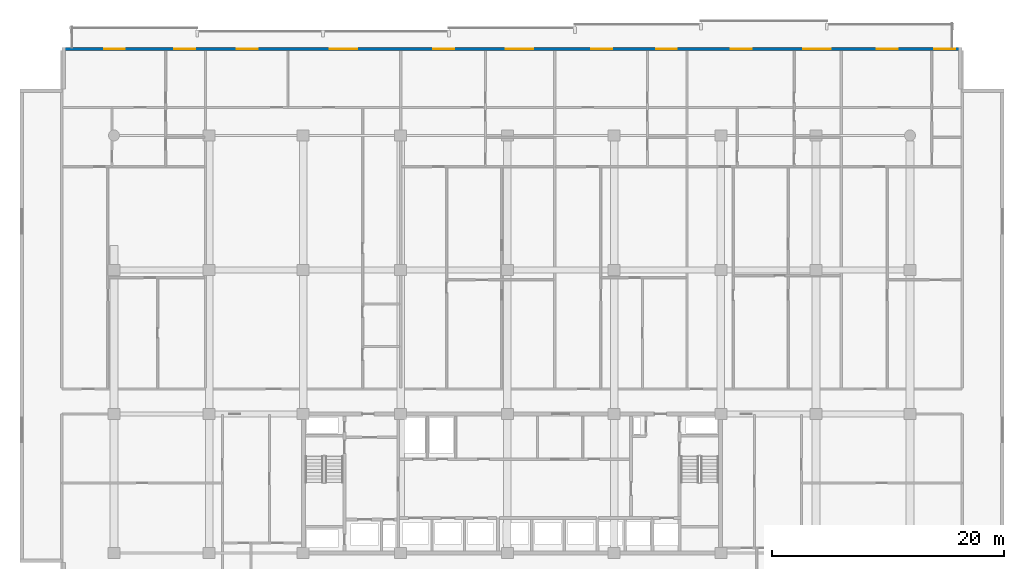
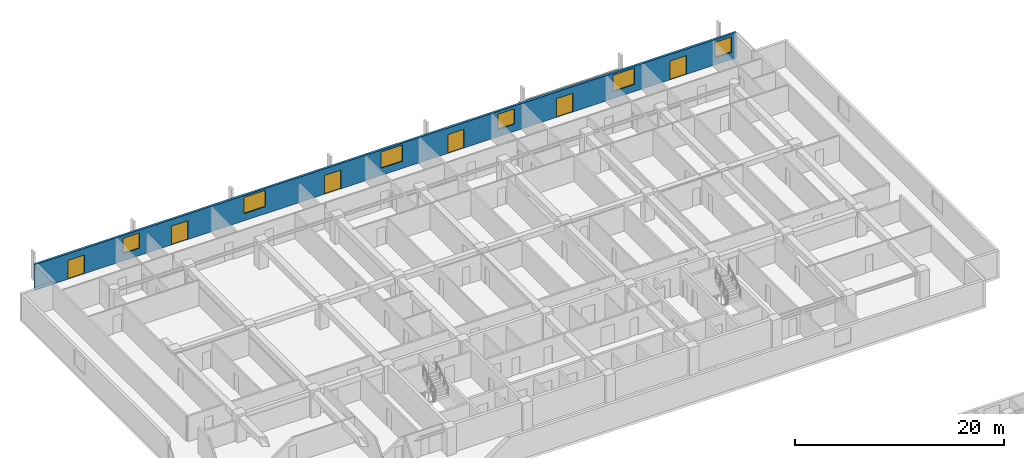
# One storey, part 16 of 23: 6 doors, 6 windows, 1 wall, 12 openings.
"""IFC4 building model written with IfcOpenShell, lengths in metres."""

from ifc_helpers import new_model, si_unit, direction, frame, frame_2d, origin, place, context, subcontext, project, spatial, rectangle, extrude, material, layer, layer_set, type_object, element, fill, save


model = new_model("IFC4")

# Units and contexts
model_context = context("Model", 3, precision=1e-05, world=origin(), true_north=direction((0.0, 1.0)))
body_context = subcontext(model_context, "Body", "Model", "MODEL_VIEW")
ifc_project = project(units=[si_unit("LENGTHUNIT", "METRE"), si_unit("AREAUNIT", "SQUARE_METRE"), si_unit("VOLUMEUNIT", "CUBIC_METRE"), si_unit("PLANEANGLEUNIT", "RADIAN"), si_unit("MASSUNIT", "GRAM", prefix="KILO")], contexts=[model_context])

# Site, building, storey
site_placement = place(None, origin())
site = spatial("IfcSite", under=ifc_project, at=site_placement, CompositionType="ELEMENT")
building_placement = place(site_placement, origin())
building = spatial("IfcBuilding", under=site, at=building_placement, Name="Korimba Cascade Residences", CompositionType="ELEMENT")
storey_placement = place(building_placement, frame((0.0, 0.0, 37.0)))
storey = spatial("IfcBuildingStorey", under=building, at=storey_placement, Name="L09", CompositionType="ELEMENT", Elevation=37.0)

# Wall, openings, doors, windows
ifc_material_1 = material(Name="Precast concrete C40/50", Category="concrete")
ifc_layer = layer(ifc_material_1, 0.25)
ifc_layer_set = layer_set([ifc_layer], Name="Precast concrete C40/50")
wall_type = type_object("IfcWallType", Name="EW-LOG-250", PredefinedType="STANDARD", material=ifc_layer_set)
wall_placement = place(storey_placement, frame((132.89990234375, 98.64990234375, 0.0), z_axis=(0.0, 0.0, 1.0), x_axis=(-1.0, 0.0, 0.0)))
wall = element("IfcWall", 1, at=wall_placement, inside=storey, type_object=wall_type, Name="L09 T1 Perimeter Stone Wall E06", PredefinedType="STANDARD", context=body_context, shape_type="SweptSolid", body=[
    extrude(rectangle(XDim=77.599853515625, YDim=0.25, at=frame_2d((38.7998046875, 0.0))), origin(), (0.0, 0.0, 1.0), 2.969970703125),
])
opening_1_placement = place(wall_placement, frame((72.159912109375, 0.0, 0.0)))
opening_1 = element("IfcOpeningElement", 2, at=opening_1_placement, cuts=wall, Name="Opening D-LG1", PredefinedType="OPENING", context=body_context, shape_type="SweptSolid", body=[
    extrude(rectangle(XDim=1.800048828125, YDim=2.199951171875, at=frame_2d((0.89990234375, 1.10009765625))), frame((0.0, 0.135009765625, 0.0), z_axis=(0.0, -1.0, 0.0), x_axis=(1.0, 0.0, 0.0)), (0.0, 0.0, 1.0), 0.27001953125),
])
opening_2_placement = place(wall_placement, frame((66.08984375, 0.0, 0.85009765625)))
opening_2 = element("IfcOpeningElement", 3, at=opening_2_placement, cuts=wall, Name="Opening W-02", PredefinedType="OPENING", context=body_context, shape_type="SweptSolid", body=[
    extrude(rectangle(XDim=1.800048828125, YDim=1.800048828125, at=frame_2d((0.89990234375, 0.89990234375))), frame((0.0, 0.135009765625, 0.0), z_axis=(0.0, -1.0, 0.0), x_axis=(1.0, 0.0, 0.0)), (0.0, 0.0, 1.0), 0.27001953125),
])
opening_3_placement = place(wall_placement, frame((60.70751953125, 0.0, 0.0)))
opening_3 = element("IfcOpeningElement", 4, at=opening_3_placement, cuts=wall, Name="Opening D-LG1", PredefinedType="OPENING", context=body_context, shape_type="SweptSolid", body=[
    extrude(rectangle(XDim=1.800048828125, YDim=2.199951171875, at=frame_2d((0.89990234375, 1.10009765625))), frame((0.0, 0.135009765625, 0.0), z_axis=(0.0, -1.0, 0.0), x_axis=(1.0, 0.0, 0.0)), (0.0, 0.0, 1.0), 0.27001953125),
])
opening_4_placement = place(wall_placement, frame((52.117919921875, 0.0, 0.85009765625)))
opening_4 = element("IfcOpeningElement", 5, at=opening_4_placement, cuts=wall, Name="Opening W-01", PredefinedType="OPENING", context=body_context, shape_type="SweptSolid", body=[
    extrude(rectangle(XDim=2.39990234375, YDim=1.89990234375, at=frame_2d((1.199951171875, 0.949951171875))), frame((0.0, 0.135009765625, 0.0), z_axis=(0.0, -1.0, 0.0), x_axis=(1.0, 0.0, 0.0)), (0.0, 0.0, 1.0), 0.27001953125),
])
opening_5_placement = place(wall_placement, frame((43.7802734375, 0.0, 0.0)))
opening_5 = element("IfcOpeningElement", 6, at=opening_5_placement, cuts=wall, Name="Opening D-LG1", PredefinedType="OPENING", context=body_context, shape_type="SweptSolid", body=[
    extrude(rectangle(XDim=1.800048828125, YDim=2.199951171875, at=frame_2d((0.89990234375, 1.10009765625))), frame((0.0, 0.135009765625, 0.0), z_axis=(0.0, -1.0, 0.0), x_axis=(1.0, 0.0, 0.0)), (0.0, 0.0, 1.0), 0.27001953125),
])
opening_6_placement = place(wall_placement, frame((36.958984375, 0.0, 0.85009765625)))
opening_6 = element("IfcOpeningElement", 7, at=opening_6_placement, cuts=wall, Name="Opening W-01", PredefinedType="OPENING", context=body_context, shape_type="SweptSolid", body=[
    extrude(rectangle(XDim=2.39990234375, YDim=1.89990234375, at=frame_2d((1.199951171875, 0.949951171875))), frame((0.0, 0.135009765625, 0.0), z_axis=(0.0, -1.0, 0.0), x_axis=(1.0, 0.0, 0.0)), (0.0, 0.0, 1.0), 0.27001953125),
])
opening_7_placement = place(wall_placement, frame((30.165283203125, 0.0, 0.0)))
opening_7 = element("IfcOpeningElement", 8, at=opening_7_placement, cuts=wall, Name="Opening D-LG1", PredefinedType="OPENING", context=body_context, shape_type="SweptSolid", body=[
    extrude(rectangle(XDim=1.800048828125, YDim=2.199951171875, at=frame_2d((0.89990234375, 1.10009765625))), frame((0.0, 0.135009765625, 0.0), z_axis=(0.0, -1.0, 0.0), x_axis=(1.0, 0.0, 0.0)), (0.0, 0.0, 1.0), 0.27001953125),
])
opening_8_placement = place(wall_placement, frame((24.582763671875, 0.0, 0.85009765625)))
opening_8 = element("IfcOpeningElement", 9, at=opening_8_placement, cuts=wall, Name="Opening W-02", PredefinedType="OPENING", context=body_context, shape_type="SweptSolid", body=[
    extrude(rectangle(XDim=1.800048828125, YDim=1.800048828125, at=frame_2d((0.89990234375, 0.89990234375))), frame((0.0, 0.135009765625, 0.0), z_axis=(0.0, -1.0, 0.0), x_axis=(1.0, 0.0, 0.0)), (0.0, 0.0, 1.0), 0.27001953125),
])
opening_9_placement = place(wall_placement, frame((18.136474609375, 0.0, 0.0)))
opening_9 = element("IfcOpeningElement", 10, at=opening_9_placement, cuts=wall, Name="Opening D-LG1", PredefinedType="OPENING", context=body_context, shape_type="SweptSolid", body=[
    extrude(rectangle(XDim=1.800048828125, YDim=2.199951171875, at=frame_2d((0.89990234375, 1.10009765625))), frame((0.0, 0.135009765625, 0.0), z_axis=(0.0, -1.0, 0.0), x_axis=(1.0, 0.0, 0.0)), (0.0, 0.0, 1.0), 0.27001953125),
])
opening_10_placement = place(wall_placement, frame((11.315185546875, 0.0, 0.85009765625)))
opening_10 = element("IfcOpeningElement", 11, at=opening_10_placement, cuts=wall, Name="Opening W-01", PredefinedType="OPENING", context=body_context, shape_type="SweptSolid", body=[
    extrude(rectangle(XDim=2.39990234375, YDim=1.89990234375, at=frame_2d((1.199951171875, 0.949951171875))), frame((0.0, 0.135009765625, 0.0), z_axis=(0.0, -1.0, 0.0), x_axis=(1.0, 0.0, 0.0)), (0.0, 0.0, 1.0), 0.27001953125),
])
opening_11_placement = place(wall_placement, frame((5.565185546875, 0.0, 0.0)))
opening_11 = element("IfcOpeningElement", 12, at=opening_11_placement, cuts=wall, Name="Opening D-LG1", PredefinedType="OPENING", context=body_context, shape_type="SweptSolid", body=[
    extrude(rectangle(XDim=1.800048828125, YDim=2.199951171875, at=frame_2d((0.89990234375, 1.10009765625))), frame((0.0, 0.135009765625, 0.0), z_axis=(0.0, -1.0, 0.0), x_axis=(1.0, 0.0, 0.0)), (0.0, 0.0, 1.0), 0.27001953125),
])
opening_12_placement = place(wall_placement, frame((0.60009765625, 0.0, 0.85009765625)))
opening_12 = element("IfcOpeningElement", 13, at=opening_12_placement, cuts=wall, Name="Opening W-02", PredefinedType="OPENING", context=body_context, shape_type="SweptSolid", body=[
    extrude(rectangle(XDim=1.800048828125, YDim=1.800048828125, at=frame_2d((0.89990234375, 0.89990234375))), frame((0.0, 0.135009765625, 0.0), z_axis=(0.0, -1.0, 0.0), x_axis=(1.0, 0.0, 0.0)), (0.0, 0.0, 1.0), 0.27001953125),
])
ifc_material_2 = material(Name="Glazed Aluminium Loggia Sliding Door", Category="aluminium")
door_type = type_object("IfcDoorType", Name="DR-EXT-LOG", OperationType="NOTDEFINED", PredefinedType="DOOR", material=ifc_material_2)
door_1_placement = place(opening_1_placement, origin())
door_1 = element("IfcDoor", 14, at=door_1_placement, inside=storey, type_object=door_type, Name="L09 T1 Loggia Sliding Door 3", OperationType="SLIDING_TO_LEFT", OverallHeight=2.199951171875, OverallWidth=1.800048828125, PredefinedType="DOOR", context=body_context, shape_type="SweptSolid", body=[
    extrude(rectangle(XDim=1.800048828125, YDim=2.199951171875, at=frame_2d((0.89990234375, 1.10009765625))), frame((0.0, 0.02490234375, 0.0), z_axis=(0.0, -1.0, 0.0), x_axis=(1.0, 0.0, 0.0)), (0.0, 0.0, 1.0), 0.050048828125),
])
fill(opening_1, door_1)
door_2_placement = place(opening_3_placement, origin())
door_2 = element("IfcDoor", 15, at=door_2_placement, inside=storey, type_object=door_type, Name="L09 T1 Loggia Sliding Door 5", OperationType="SLIDING_TO_LEFT", OverallHeight=2.199951171875, OverallWidth=1.800048828125, PredefinedType="DOOR", context=body_context, shape_type="SweptSolid", body=[
    extrude(rectangle(XDim=1.800048828125, YDim=2.199951171875, at=frame_2d((0.89990234375, 1.10009765625))), frame((0.0, 0.02490234375, 0.0), z_axis=(0.0, -1.0, 0.0), x_axis=(1.0, 0.0, 0.0)), (0.0, 0.0, 1.0), 0.050048828125),
])
fill(opening_3, door_2)
door_3_placement = place(opening_5_placement, origin())
door_3 = element("IfcDoor", 16, at=door_3_placement, inside=storey, type_object=door_type, Name="L09 T1 Loggia Sliding Door 7", OperationType="SLIDING_TO_LEFT", OverallHeight=2.199951171875, OverallWidth=1.800048828125, PredefinedType="DOOR", context=body_context, shape_type="SweptSolid", body=[
    extrude(rectangle(XDim=1.800048828125, YDim=2.199951171875, at=frame_2d((0.89990234375, 1.10009765625))), frame((0.0, 0.02490234375, 0.0), z_axis=(0.0, -1.0, 0.0), x_axis=(1.0, 0.0, 0.0)), (0.0, 0.0, 1.0), 0.050048828125),
])
fill(opening_5, door_3)
door_4_placement = place(opening_7_placement, origin())
door_4 = element("IfcDoor", 17, at=door_4_placement, inside=storey, type_object=door_type, Name="L09 T1 Loggia Sliding Door 9", OperationType="SLIDING_TO_LEFT", OverallHeight=2.199951171875, OverallWidth=1.800048828125, PredefinedType="DOOR", context=body_context, shape_type="SweptSolid", body=[
    extrude(rectangle(XDim=1.800048828125, YDim=2.199951171875, at=frame_2d((0.89990234375, 1.10009765625))), frame((0.0, 0.02490234375, 0.0), z_axis=(0.0, -1.0, 0.0), x_axis=(1.0, 0.0, 0.0)), (0.0, 0.0, 1.0), 0.050048828125),
])
fill(opening_7, door_4)
door_5_placement = place(opening_9_placement, origin())
door_5 = element("IfcDoor", 18, at=door_5_placement, inside=storey, type_object=door_type, Name="L09 T1 Loggia Sliding Door 11", OperationType="SLIDING_TO_LEFT", OverallHeight=2.199951171875, OverallWidth=1.800048828125, PredefinedType="DOOR", context=body_context, shape_type="SweptSolid", body=[
    extrude(rectangle(XDim=1.800048828125, YDim=2.199951171875, at=frame_2d((0.89990234375, 1.10009765625))), frame((0.0, 0.02490234375, 0.0), z_axis=(0.0, -1.0, 0.0), x_axis=(1.0, 0.0, 0.0)), (0.0, 0.0, 1.0), 0.050048828125),
])
fill(opening_9, door_5)
door_6_placement = place(opening_11_placement, origin())
door_6 = element("IfcDoor", 19, at=door_6_placement, inside=storey, type_object=door_type, Name="L09 T1 Loggia Sliding Door 13", OperationType="SLIDING_TO_LEFT", OverallHeight=2.199951171875, OverallWidth=1.800048828125, PredefinedType="DOOR", context=body_context, shape_type="SweptSolid", body=[
    extrude(rectangle(XDim=1.800048828125, YDim=2.199951171875, at=frame_2d((0.89990234375, 1.10009765625))), frame((0.0, 0.02490234375, 0.0), z_axis=(0.0, -1.0, 0.0), x_axis=(1.0, 0.0, 0.0)), (0.0, 0.0, 1.0), 0.050048828125),
])
fill(opening_11, door_6)
ifc_material_3 = material(Name="Double-Glazed Aluminium Window", Category="aluminium")
window_type_1 = type_object("IfcWindowType", Name="WIN-BED-1800", PartitioningType="SINGLE_PANEL", PredefinedType="WINDOW", material=ifc_material_3)
window_1_placement = place(opening_2_placement, origin())
window_1 = element("IfcWindow", 20, at=window_1_placement, inside=storey, type_object=window_type_1, Name="L09 T1 North Facade Window 4", OverallHeight=1.800048828125, OverallWidth=1.800048828125, PartitioningType="SINGLE_PANEL", PredefinedType="WINDOW", context=body_context, shape_type="SweptSolid", body=[
    extrude(rectangle(XDim=1.800048828125, YDim=1.800048828125, at=frame_2d((0.89990234375, 0.89990234375))), frame((0.0, 0.030029296875, 0.0), z_axis=(0.0, -1.0, 0.0), x_axis=(1.0, 0.0, 0.0)), (0.0, 0.0, 1.0), 0.06005859375),
])
fill(opening_2, window_1)
window_2_placement = place(opening_8_placement, origin())
window_2 = element("IfcWindow", 21, at=window_2_placement, inside=storey, type_object=window_type_1, Name="L09 T1 North Facade Window 10", OverallHeight=1.800048828125, OverallWidth=1.800048828125, PartitioningType="SINGLE_PANEL", PredefinedType="WINDOW", context=body_context, shape_type="SweptSolid", body=[
    extrude(rectangle(XDim=1.800048828125, YDim=1.800048828125, at=frame_2d((0.89990234375, 0.89990234375))), frame((0.0, 0.030029296875, 0.0), z_axis=(0.0, -1.0, 0.0), x_axis=(1.0, 0.0, 0.0)), (0.0, 0.0, 1.0), 0.06005859375),
])
fill(opening_8, window_2)
window_3_placement = place(opening_12_placement, origin())
window_3 = element("IfcWindow", 22, at=window_3_placement, inside=storey, type_object=window_type_1, Name="L09 T1 North Facade Window 14", OverallHeight=1.800048828125, OverallWidth=1.800048828125, PartitioningType="SINGLE_PANEL", PredefinedType="WINDOW", context=body_context, shape_type="SweptSolid", body=[
    extrude(rectangle(XDim=1.800048828125, YDim=1.800048828125, at=frame_2d((0.89990234375, 0.89990234375))), frame((0.0, 0.030029296875, 0.0), z_axis=(0.0, -1.0, 0.0), x_axis=(1.0, 0.0, 0.0)), (0.0, 0.0, 1.0), 0.06005859375),
])
fill(opening_12, window_3)
window_type_2 = type_object("IfcWindowType", Name="WIN-RES-2400", PartitioningType="DOUBLE_PANEL_VERTICAL", PredefinedType="WINDOW", material=ifc_material_3)
window_4_placement = place(opening_4_placement, origin())
window_4 = element("IfcWindow", 23, at=window_4_placement, inside=storey, type_object=window_type_2, Name="L09 T1 North Facade Window 6", OverallHeight=1.89990234375, OverallWidth=2.39990234375, PartitioningType="DOUBLE_PANEL_VERTICAL", PredefinedType="WINDOW", context=body_context, shape_type="SweptSolid", body=[
    extrude(rectangle(XDim=2.39990234375, YDim=1.89990234375, at=frame_2d((1.199951171875, 0.949951171875))), frame((0.0, 0.030029296875, 0.0), z_axis=(0.0, -1.0, 0.0), x_axis=(1.0, 0.0, 0.0)), (0.0, 0.0, 1.0), 0.06005859375),
])
fill(opening_4, window_4)
window_5_placement = place(opening_6_placement, origin())
window_5 = element("IfcWindow", 24, at=window_5_placement, inside=storey, type_object=window_type_2, Name="L09 T1 North Facade Window 8", OverallHeight=1.89990234375, OverallWidth=2.39990234375, PartitioningType="DOUBLE_PANEL_VERTICAL", PredefinedType="WINDOW", context=body_context, shape_type="SweptSolid", body=[
    extrude(rectangle(XDim=2.39990234375, YDim=1.89990234375, at=frame_2d((1.199951171875, 0.949951171875))), frame((0.0, 0.030029296875, 0.0), z_axis=(0.0, -1.0, 0.0), x_axis=(1.0, 0.0, 0.0)), (0.0, 0.0, 1.0), 0.06005859375),
])
fill(opening_6, window_5)
window_6_placement = place(opening_10_placement, origin())
window_6 = element("IfcWindow", 25, at=window_6_placement, inside=storey, type_object=window_type_2, Name="L09 T1 North Facade Window 12", OverallHeight=1.89990234375, OverallWidth=2.39990234375, PartitioningType="DOUBLE_PANEL_VERTICAL", PredefinedType="WINDOW", context=body_context, shape_type="SweptSolid", body=[
    extrude(rectangle(XDim=2.39990234375, YDim=1.89990234375, at=frame_2d((1.199951171875, 0.949951171875))), frame((0.0, 0.030029296875, 0.0), z_axis=(0.0, -1.0, 0.0), x_axis=(1.0, 0.0, 0.0)), (0.0, 0.0, 1.0), 0.06005859375),
])
fill(opening_10, window_6)

save(model, "model.ifc")
